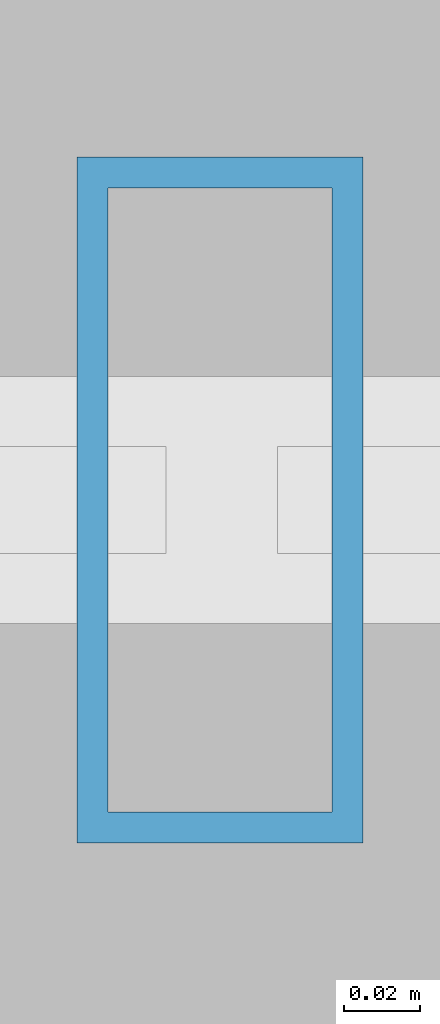
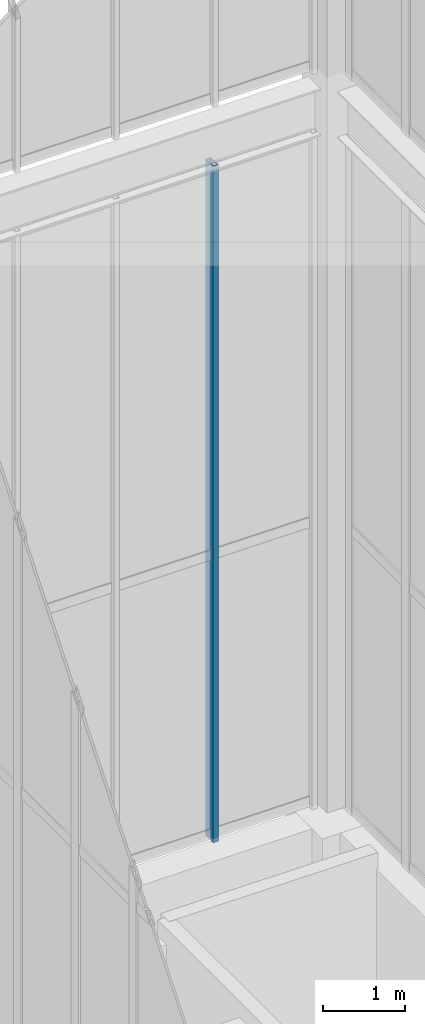
# One storey, part 117 of 135: 1 member, 1 element without a shape of its own.
"""IFC4 building model written with IfcOpenShell, lengths in metres."""

from ifc_helpers import new_model, si_unit, direction, frame, origin, origin_2d, place, context, subcontext, project, spatial, hollow_rectangle, extrude, source, transform, mapped, material, layer, layer_set, material_profile, profile_set, type_object, element, aggregate, save


model = new_model("IFC4")

# Units and contexts
model_context = context("Model", 3, precision=1e-05, world=origin(), true_north=direction((0.0, 1.0)))
body_context = subcontext(model_context, "Body", "Model", "MODEL_VIEW")
ifc_project = project(units=[si_unit("LENGTHUNIT", "METRE"), si_unit("AREAUNIT", "SQUARE_METRE"), si_unit("VOLUMEUNIT", "CUBIC_METRE"), si_unit("PLANEANGLEUNIT", "RADIAN"), si_unit("MASSUNIT", "GRAM", prefix="KILO")], contexts=[model_context])

# Site, building, storey
site_placement = place(None, origin())
site = spatial("IfcSite", under=ifc_project, at=site_placement, CompositionType="ELEMENT")
building_placement = place(site_placement, origin())
building = spatial("IfcBuilding", under=site, at=building_placement, Name="Giltprow Tower", CompositionType="ELEMENT")
storey_placement = place(building_placement, frame((0.0, 0.0, 352.699951171875)))
storey = spatial("IfcBuildingStorey", under=building, at=storey_placement, Name="L92", CompositionType="ELEMENT", Elevation=352.699951171875)

# Curtain wall, member
ifc_material = material(Name="Anodized bronze", Category="metal")
ifc_layer = layer(ifc_material, 0.179931640625, Name="Anodized bronze")
ifc_layer_set = layer_set([ifc_layer], Name="Anodized bronze")
curtain_wall_type = type_object("IfcCurtainWallType", Name="CW-CROWN-LANTERN", PredefinedType="NOTDEFINED", material=ifc_layer_set)
curtain_wall_placement = place(storey_placement, origin())
curtain_wall = element("IfcCurtainWall", 1, at=curtain_wall_placement, inside=storey, type_object=curtain_wall_type, Name="Crown East Lower Lantern Glazing 4", PredefinedType="NOTDEFINED")
ifc_material_profile = material_profile(ifc_material, hollow_rectangle(XDim=0.074951171875, YDim=0.179931640625, WallThickness=0.008056640625, at=origin_2d()), Name="RHS 180x75x8")
ifc_profile_set = profile_set([ifc_material_profile], Name="Anodized bronze")
member_type = type_object("IfcMemberType", Name="CW-MULLION-180x75", PredefinedType="MULLION", material=ifc_profile_set)
shared_shape = source(origin(), body_context, "Body", "SweptSolid", [
    extrude(hollow_rectangle(XDim=0.074951171875, YDim=0.179931640625, WallThickness=0.008056640625, at=origin_2d()), origin(), (0.0, 0.0, 1.0), 10.030029296875),
])
member_placement = place(storey_placement, frame((48.81201171875, 46.550048828125, 6.35009765625), z_axis=(0.0, 0.0, 1.0), x_axis=(1.0, 0.0, 0.0)))
member = element("IfcMember", 2, at=member_placement, type_object=member_type, Name="Crown East Lower Lantern Glazing 4 Mullion 2", PredefinedType="MULLION", context=body_context, shape_type="MappedRepresentation", body=[
    mapped(shared_shape, transform((0.0, 0.0, 0.0), x_axis=(1.0, 0.0, 0.0), y_axis=(0.0, 1.0, 0.0), z_axis=(0.0, 0.0, 1.0), scale=1.0)),
])
aggregate(curtain_wall, [member])

save(model, "model.ifc")
